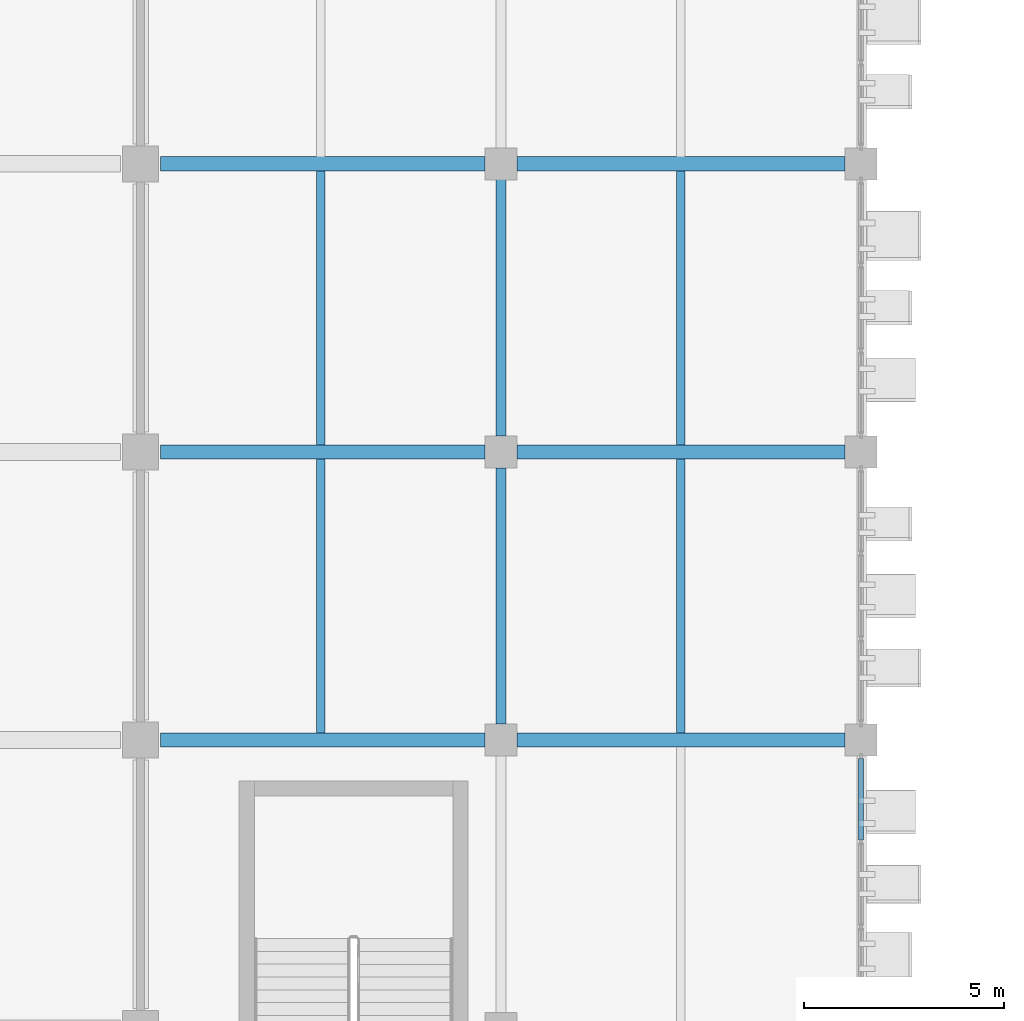
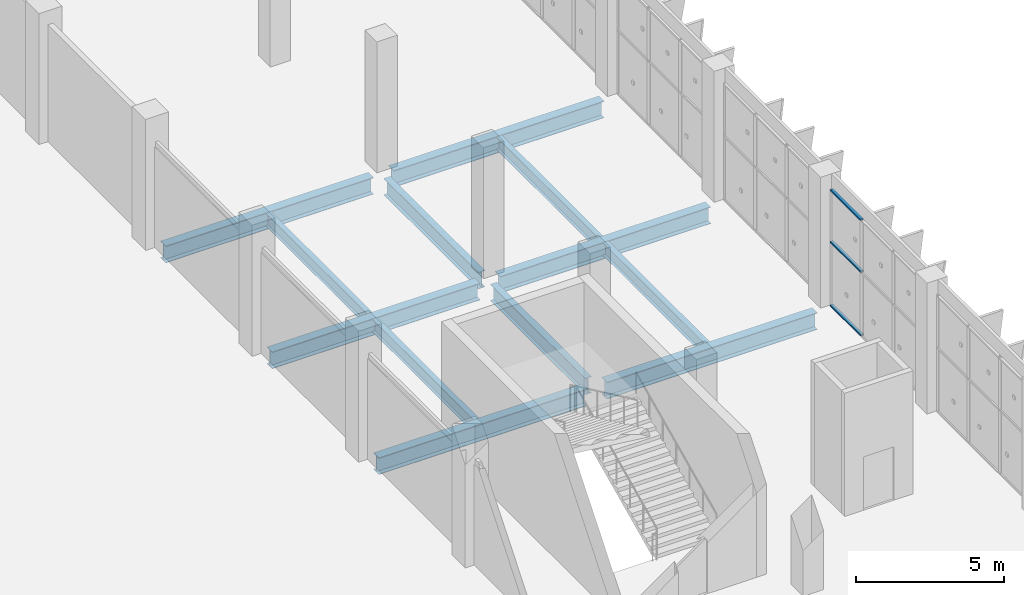
# One storey, part 53 of 137: 12 beams, 3 members, 1 element without a shape of its own.
"""IFC4 building model written with IfcOpenShell, lengths in metres."""

from ifc_helpers import new_model, si_unit, direction, frame, origin, origin_2d, place, context, subcontext, project, spatial, hollow_rectangle, i_section, extrude, material, layer, layer_set, material_profile, profile_set, type_object, element, aggregate, save


model = new_model("IFC4")

# Units and contexts
model_context = context("Model", 3, precision=1e-05, world=origin(), true_north=direction((0.0, 1.0)))
body_context = subcontext(model_context, "Body", "Model", "MODEL_VIEW")
ifc_project = project(units=[si_unit("LENGTHUNIT", "METRE"), si_unit("AREAUNIT", "SQUARE_METRE"), si_unit("VOLUMEUNIT", "CUBIC_METRE"), si_unit("PLANEANGLEUNIT", "RADIAN"), si_unit("MASSUNIT", "GRAM", prefix="KILO")], contexts=[model_context])

# Site, building, storey
site_placement = place(None, origin())
site = spatial("IfcSite", under=ifc_project, at=site_placement, CompositionType="ELEMENT")
building_placement = place(site_placement, origin())
building = spatial("IfcBuilding", under=site, at=building_placement, Name="Celestram Park Convention Centre", CompositionType="ELEMENT")
storey_placement = place(building_placement, origin())
storey = spatial("IfcBuildingStorey", under=building, at=storey_placement, Name="L00", CompositionType="ELEMENT", Elevation=0.0)

# Curtain wall, members
ifc_material_1 = material(Name="Anodised Aluminium Alloy 6063-T6", Category="aluminium")
ifc_layer = layer(ifc_material_1, 0.179931640625)
ifc_layer_set = layer_set([ifc_layer], Name="Anodised Aluminium Alloy 6063-T6")
curtain_wall_type = type_object("IfcCurtainWallType", Name="ARC-CW-640X482", PredefinedType="NOTDEFINED", material=ifc_layer_set)
curtain_wall_placement = place(storey_placement, origin())
curtain_wall = element("IfcCurtainWall", 1, at=curtain_wall_placement, inside=storey, type_object=curtain_wall_type, Name="Unitised curtain wall CU-L00-014", PredefinedType="NOTDEFINED")
ifc_material_profile_1 = material_profile(ifc_material_1, hollow_rectangle(XDim=0.1201171875, YDim=0.06005859375, WallThickness=0.0029296875, at=origin_2d()), Name="ALU120X60X3")
ifc_profile_set_1 = profile_set([ifc_material_profile_1], Name="Anodised Aluminium Alloy 6063-T6")
member_type = type_object("IfcMemberType", Name="ARC-CWT-120", PredefinedType="USERDEFINED", material=ifc_profile_set_1)
member_1_placement = place(storey_placement, frame((144.0, 64.3369140625, 0.030029296875), z_axis=(0.0, -1.0, 0.0), x_axis=(1.0, 0.0, 0.0)))
member_1 = element("IfcMember", 2, at=member_1_placement, type_object=member_type, Name="CW-64X48 transom 1.1", ObjectType="TRANSOM", PredefinedType="USERDEFINED", context=body_context, shape_type="SweptSolid", body=[
    extrude(hollow_rectangle(XDim=0.1201171875, YDim=0.06005859375, WallThickness=0.0029296875, at=origin_2d()), origin(), (0.0, 0.0, 1.0), 2.037109375),
])
member_2_placement = place(storey_placement, frame((144.0, 64.3369140625, 2.64990234375), z_axis=(0.0, -1.0, 0.0), x_axis=(1.0, 0.0, 0.0)))
member_2 = element("IfcMember", 3, at=member_2_placement, type_object=member_type, Name="CW-64X48 transom 1.2", ObjectType="TRANSOM", PredefinedType="USERDEFINED", context=body_context, shape_type="SweptSolid", body=[
    extrude(hollow_rectangle(XDim=0.1201171875, YDim=0.06005859375, WallThickness=0.0029296875, at=origin_2d()), origin(), (0.0, 0.0, 1.0), 2.037109375),
])
member_3_placement = place(storey_placement, frame((144.0, 64.3369140625, 4.7900390625), z_axis=(0.0, -1.0, 0.0), x_axis=(1.0, 0.0, 0.0)))
member_3 = element("IfcMember", 4, at=member_3_placement, type_object=member_type, Name="CW-64X48 transom 1.3", ObjectType="TRANSOM", PredefinedType="USERDEFINED", context=body_context, shape_type="SweptSolid", body=[
    extrude(hollow_rectangle(XDim=0.1201171875, YDim=0.06005859375, WallThickness=0.0029296875, at=origin_2d()), origin(), (0.0, 0.0, 1.0), 2.037109375),
])
aggregate(curtain_wall, [member_1, member_2, member_3])

# Beams
ifc_material_2 = material(Name="Steel ASTM A992 Grade 50", Category="steel")
ifc_material_profile_2 = material_profile(ifc_material_2, i_section(OverallWidth=0.35595703125, OverallDepth=0.696044921875, WebThickness=0.015380859375, FlangeThickness=0.02490234375, at=origin_2d()), Name="W27X146")
ifc_profile_set_2 = profile_set([ifc_material_profile_2], Name="Steel ASTM A992 Grade 50")
beam_type_1 = type_object("IfcBeamType", Name="STR-BM-W27X146", PredefinedType="BEAM", material=ifc_profile_set_2)
for number, where, z_axis, x_axis, name in (
    (5, (126.498046875, 64.800048828125, -0.66796875), (1.0, 0.0, 0.0), (0.0, 1.0, 0.0), "Primary X-girder BG-L00-0594"),
    (6, (126.498046875, 72.0, -0.66796875), (1.0, 0.0, 0.0), (0.0, 1.0, 0.0), "Primary X-girder BG-L00-0596"),
    (7, (126.498046875, 79.199951171875, -0.66796875), (1.0, 0.0, 0.0), (0.0, 1.0, 0.0), "Primary X-girder BG-L00-0598"),
):
    element("IfcBeam", number, at=place(storey_placement, frame(where, z_axis=z_axis, x_axis=x_axis)), inside=storey, type_object=beam_type_1, Name=name, PredefinedType="BEAM", context=body_context, shape_type="SweptSolid", body=[
        extrude(i_section(OverallWidth=0.35595703125, OverallDepth=0.696044921875, WebThickness=0.015380859375, FlangeThickness=0.02490234375, at=origin_2d()), origin(), (0.0, 0.0, 1.0), 8.10400390625),
    ])
for number, where, z_axis, x_axis, name in (
    (8, (135.39794921875, 64.800048828125, -0.66796875), (1.0, 0.0, 0.0), (0.0, 1.0, 0.0), "Primary X-girder BG-L00-0633"),
    (9, (135.39794921875, 72.0, -0.66796875), (1.0, 0.0, 0.0), (0.0, 1.0, 0.0), "Primary X-girder BG-L00-0635"),
    (10, (135.39794921875, 79.199951171875, -0.66796875), (1.0, 0.0, 0.0), (0.0, 1.0, 0.0), "Primary X-girder BG-L00-0637"),
):
    element("IfcBeam", number, at=place(storey_placement, frame(where, z_axis=z_axis, x_axis=x_axis)), inside=storey, type_object=beam_type_1, Name=name, PredefinedType="BEAM", context=body_context, shape_type="SweptSolid", body=[
        extrude(i_section(OverallWidth=0.35595703125, OverallDepth=0.696044921875, WebThickness=0.015380859375, FlangeThickness=0.02490234375, at=origin_2d()), origin(), (0.0, 0.0, 1.0), 8.2041015625),
    ])
ifc_material_profile_3 = material_profile(ifc_material_2, i_section(OverallWidth=0.25390625, OverallDepth=0.68310546875, WebThickness=0.012451171875, FlangeThickness=0.01904296875, at=origin_2d()), Name="W27X94")
ifc_profile_set_3 = profile_set([ifc_material_profile_3], Name="Steel ASTM A992 Grade 50")
beam_type_2 = type_object("IfcBeamType", Name="STR-BM-W27X94", PredefinedType="BEAM", material=ifc_profile_set_3)
for number, where, z_axis, x_axis, name in (
    (11, (135.0, 65.197998046875, -0.66162109375), (0.0, 1.0, 0.0), (-1.0, 0.0, 0.0), "Primary Y-girder BG-L00-0634"),
    (12, (135.0, 72.39794921875, -0.66162109375), (0.0, 1.0, 0.0), (-1.0, 0.0, 0.0), "Primary Y-girder BG-L00-0636"),
):
    element("IfcBeam", number, at=place(storey_placement, frame(where, z_axis=z_axis, x_axis=x_axis)), inside=storey, type_object=beam_type_2, Name=name, PredefinedType="BEAM", context=body_context, shape_type="SweptSolid", body=[
        extrude(i_section(OverallWidth=0.25390625, OverallDepth=0.68310546875, WebThickness=0.012451171875, FlangeThickness=0.01904296875, at=origin_2d()), origin(), (0.0, 0.0, 1.0), 6.404052734375),
    ])
ifc_material_profile_4 = material_profile(ifc_material_2, i_section(OverallWidth=0.2099609375, OverallDepth=0.532958984375, WebThickness=0.01025390625, FlangeThickness=0.015625, at=origin_2d()), Name="W21X62")
ifc_profile_set_4 = profile_set([ifc_material_profile_4], Name="Steel ASTM A992 Grade 50")
beam_type_3 = type_object("IfcBeamType", Name="STR-JST-W21X62", PredefinedType="JOIST", material=ifc_profile_set_4)
for number, where, z_axis, x_axis, name in (
    (13, (130.5, 64.97412109375, -0.58642578125), (0.0, 1.0, 0.0), (-1.0, 0.0, 0.0), "Secondary composite joist BG-L00-1144"),
    (14, (130.5, 72.174072265625, -0.58642578125), (0.0, 1.0, 0.0), (-1.0, 0.0, 0.0), "Secondary composite joist BG-L00-1145"),
    (15, (139.5, 64.97412109375, -0.58642578125), (0.0, 1.0, 0.0), (-1.0, 0.0, 0.0), "Secondary composite joist BG-L00-1160"),
    (16, (139.5, 72.174072265625, -0.58642578125), (0.0, 1.0, 0.0), (-1.0, 0.0, 0.0), "Secondary composite joist BG-L00-1161"),
):
    element("IfcBeam", number, at=place(storey_placement, frame(where, z_axis=z_axis, x_axis=x_axis)), inside=storey, type_object=beam_type_3, Name=name, PredefinedType="JOIST", context=body_context, shape_type="SweptSolid", body=[
        extrude(i_section(OverallWidth=0.2099609375, OverallDepth=0.532958984375, WebThickness=0.01025390625, FlangeThickness=0.015625, at=origin_2d()), origin(), (0.0, 0.0, 1.0), 6.851806640625),
    ])

save(model, "model.ifc")
